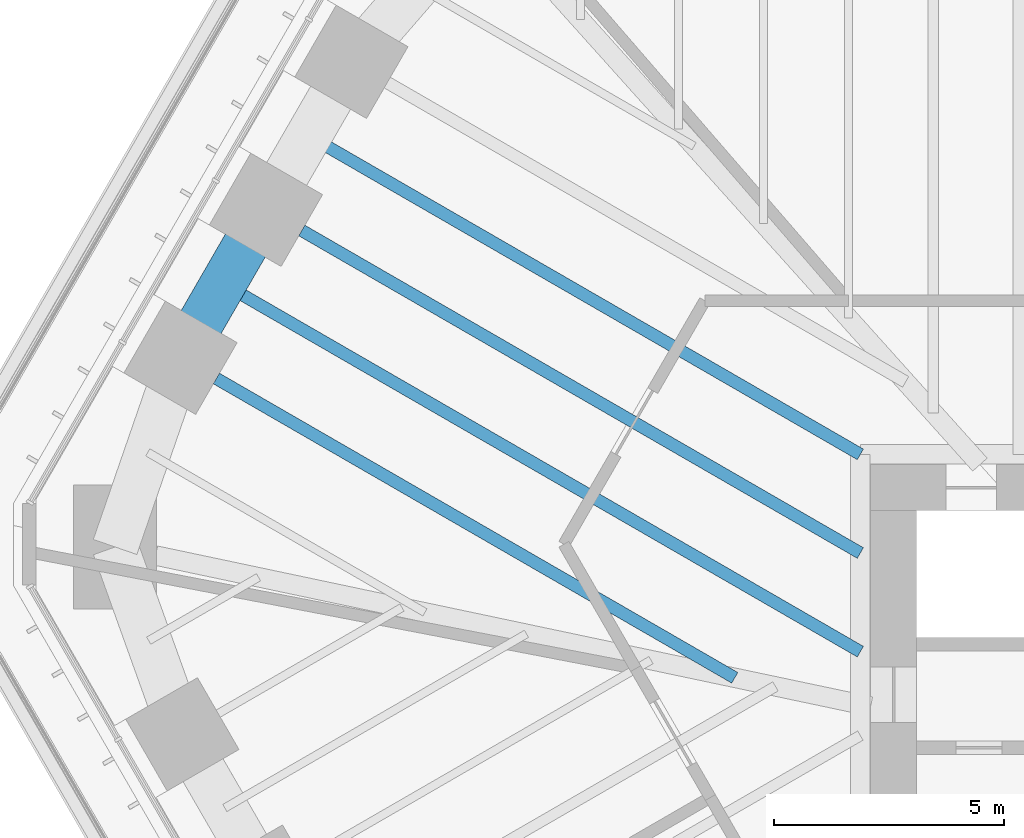
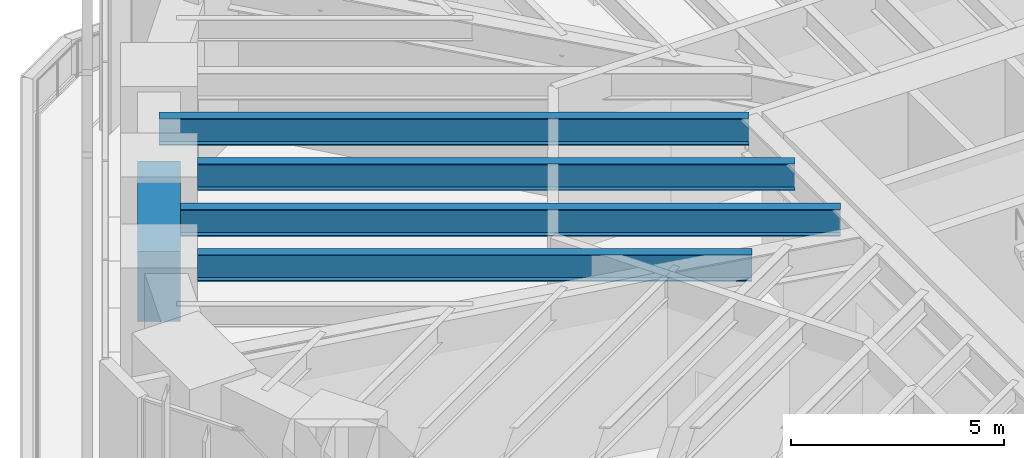
# One storey, part 139 of 228: 5 beams.
"""IFC4 building model written with IfcOpenShell, lengths in metres."""

from ifc_helpers import new_model, si_unit, direction, frame, origin, origin_2d, place, context, subcontext, project, spatial, rectangle, i_section, extrude, material, material_profile, profile_set, type_object, element, save


model = new_model("IFC4")

# Units and contexts
model_context = context("Model", 3, precision=1e-05, world=origin(), true_north=direction((0.0, 1.0)))
body_context = subcontext(model_context, "Body", "Model", "MODEL_VIEW")
ifc_project = project(units=[si_unit("LENGTHUNIT", "METRE"), si_unit("AREAUNIT", "SQUARE_METRE"), si_unit("VOLUMEUNIT", "CUBIC_METRE"), si_unit("PLANEANGLEUNIT", "RADIAN"), si_unit("MASSUNIT", "GRAM", prefix="KILO")], contexts=[model_context])

# Site, building, storey
site_placement = place(None, origin())
site = spatial("IfcSite", under=ifc_project, at=site_placement, CompositionType="ELEMENT")
building_placement = place(site_placement, origin())
building = spatial("IfcBuilding", under=site, at=building_placement, Name="Sandreach Pilgrim Tower", CompositionType="ELEMENT")
storey_placement = place(building_placement, frame((0.0, 0.0, 178.199951171875)))
storey = spatial("IfcBuildingStorey", under=building, at=storey_placement, Name="L44", CompositionType="ELEMENT", Elevation=178.199951171875)

# Beams
ifc_material_1 = material(Name="Steel ASTM A992 Grade 50", Category="steel")
ifc_material_profile_1 = material_profile(ifc_material_1, i_section(OverallWidth=0.2666015625, OverallDepth=0.761962890625, WebThickness=0.014404296875, FlangeThickness=0.021484375, at=origin_2d()), Name="W30X116")
ifc_profile_set_1 = profile_set([ifc_material_profile_1], Name="Steel ASTM A992 Grade 50")
beam_type_1 = type_object("IfcBeamType", Name="Floor beam W30X116", PredefinedType="BEAM", material=ifc_profile_set_1)
beam_1_placement = place(storey_placement, frame((-22.9560546875, 8.96923828125, 4.458984375), z_axis=(0.86602575807, -0.499999386358, 0.0), x_axis=(0.499999386358, 0.86602575807, 0.0)))
element("IfcBeam", 1, at=beam_1_placement, inside=storey, type_object=beam_type_1, Name="BM L44 F36", PredefinedType="BEAM", context=body_context, shape_type="SweptSolid", body=[
    extrude(i_section(OverallWidth=0.2666015625, OverallDepth=0.761962890625, WebThickness=0.014404296875, FlangeThickness=0.021484375, at=origin_2d()), origin(), (0.0, 0.0, 1.0), 12.99853515625),
])
beam_2_placement = place(storey_placement, frame((-21.100830078125, 12.1826171875, 4.458984375), z_axis=(0.866019244392, -0.500010668228, 0.0), x_axis=(0.500010668228, 0.866019244392, 0.0)))
element("IfcBeam", 2, at=beam_2_placement, inside=storey, type_object=beam_type_1, Name="BM L44 F37", PredefinedType="BEAM", context=body_context, shape_type="SweptSolid", body=[
    extrude(i_section(OverallWidth=0.2666015625, OverallDepth=0.761962890625, WebThickness=0.014404296875, FlangeThickness=0.021484375, at=origin_2d()), origin(), (0.0, 0.0, 1.0), 14.005126953125),
])
beam_3_placement = place(storey_placement, frame((-20.95263671875, 14.2392578125, 4.458984375), z_axis=(0.866020129177, -0.500009135777, 0.0), x_axis=(0.500009135777, 0.866020129177, 0.0)))
element("IfcBeam", 3, at=beam_3_placement, inside=storey, type_object=beam_type_1, Name="BM L44 FM37", PredefinedType="BEAM", context=body_context, shape_type="SweptSolid", body=[
    extrude(i_section(OverallWidth=0.2666015625, OverallDepth=0.761962890625, WebThickness=0.014404296875, FlangeThickness=0.021484375, at=origin_2d()), origin(), (0.0, 0.0, 1.0), 13.834228515625),
])
ifc_material_2 = material(Name="Steel ASTM A992 Grade 50", Category="steel")
ifc_material_profile_2 = material_profile(ifc_material_2, i_section(OverallWidth=0.2666015625, OverallDepth=0.77978515625, WebThickness=0.0166015625, FlangeThickness=0.030029296875, at=origin_2d()), Name="W30X148")
ifc_profile_set_2 = profile_set([ifc_material_profile_2], Name="Steel ASTM A992 Grade 50")
beam_type_2 = type_object("IfcBeamType", Name="Floor beam W30X148", PredefinedType="BEAM", material=ifc_profile_set_2)
beam_4_placement = place(storey_placement, frame((-22.807861328125, 11.02587890625, 4.4501953125), z_axis=(0.866025516972, -0.499999803953, 0.0), x_axis=(0.499999803953, 0.866025516972, 0.0)))
element("IfcBeam", 4, at=beam_4_placement, inside=storey, type_object=beam_type_2, Name="BM L44 FM36", PredefinedType="BEAM", context=body_context, shape_type="SweptSolid", body=[
    extrude(i_section(OverallWidth=0.2666015625, OverallDepth=0.77978515625, WebThickness=0.0166015625, FlangeThickness=0.030029296875, at=origin_2d()), origin(), (0.0, 0.0, 1.0), 15.97607421875),
])
ifc_material_3 = material(Name="Concrete 10000 psi", Category="concrete")
ifc_material_profile_3 = material_profile(ifc_material_3, rectangle(XDim=1.0, YDim=2.0, at=origin_2d()), Name="RC1000X2000")
ifc_profile_set_3 = profile_set([ifc_material_profile_3], Name="Concrete 10000 psi")
beam_type_3 = type_object("IfcBeamType", Name="Spandrel beam RC1000X2000", PredefinedType="SPANDREL", material=ifc_profile_set_3)
beam_5_placement = place(storey_placement, frame((-23.7353515625, 9.419189453125, 3.840087890625), z_axis=(0.499946491854, 0.866056294523, 0.0), x_axis=(-0.866056294523, 0.499946491854, 0.0)))
element("IfcBeam", 5, at=beam_5_placement, inside=storey, type_object=beam_type_3, Name="BM L44 SP36", PredefinedType="SPANDREL", context=body_context, shape_type="SweptSolid", body=[
    extrude(rectangle(XDim=1.0, YDim=2.0, at=origin_2d()), origin(), (0.0, 0.0, 1.0), 3.71044921875),
])

save(model, "model.ifc")
